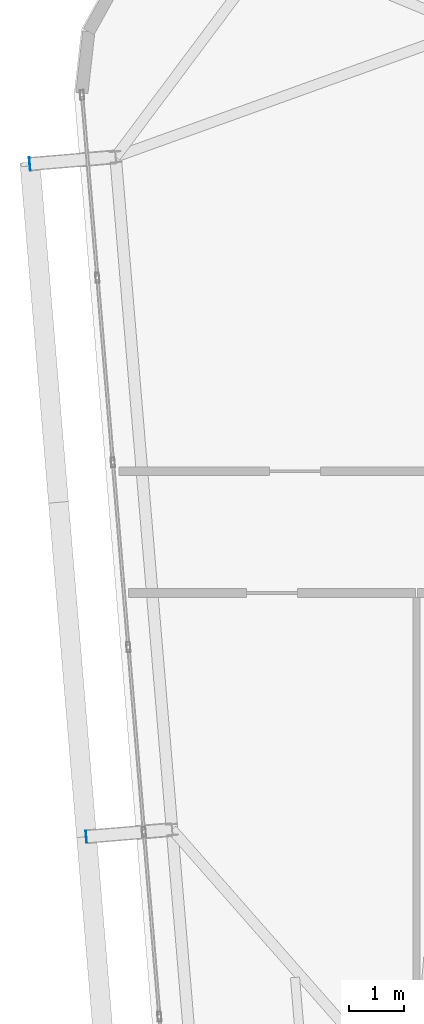
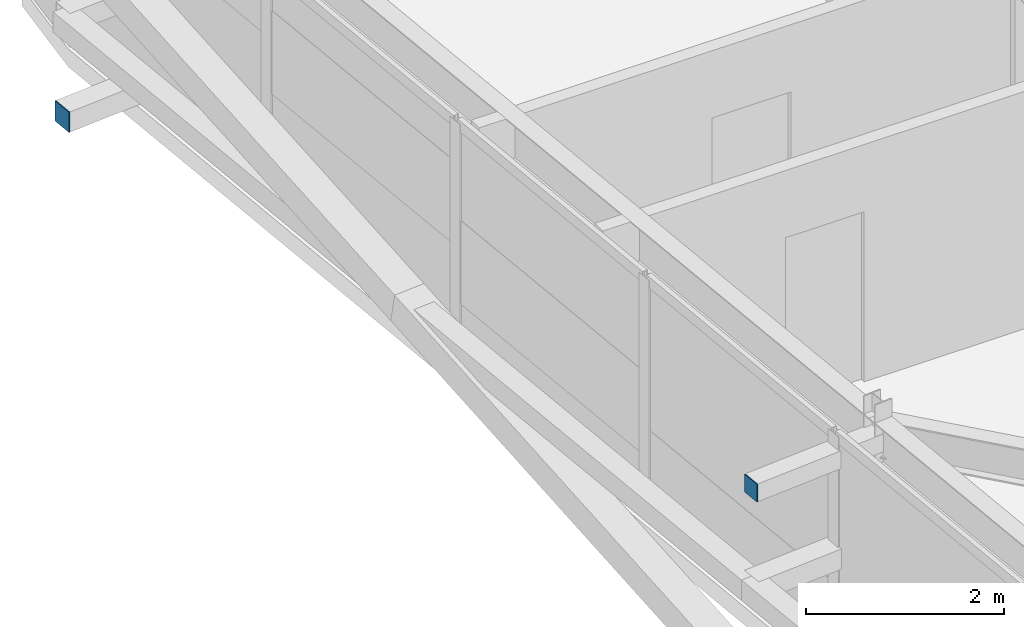
# One storey, part 36 of 46: 2 plates.
"""IFC4 building model written with IfcOpenShell, lengths in metres."""

from ifc_helpers import new_model, si_unit, direction, frame, origin, origin_2d, place, context, subcontext, project, spatial, rectangle, extrude, source, transform, mapped, material, layer, layer_set, type_object, element, save


model = new_model("IFC4")

# Units and contexts
model_context = context("Model", 3, precision=1e-05, world=origin(), true_north=direction((0.0, 1.0)))
body_context = subcontext(model_context, "Body", "Model", "MODEL_VIEW")
ifc_project = project(units=[si_unit("LENGTHUNIT", "METRE"), si_unit("AREAUNIT", "SQUARE_METRE"), si_unit("VOLUMEUNIT", "CUBIC_METRE"), si_unit("PLANEANGLEUNIT", "RADIAN"), si_unit("MASSUNIT", "GRAM", prefix="KILO")], contexts=[model_context])

# Site, building, storey
site_placement = place(None, origin())
site = spatial("IfcSite", under=ifc_project, at=site_placement, CompositionType="ELEMENT")
building_placement = place(site_placement, origin())
building = spatial("IfcBuilding", under=site, at=building_placement, Name="Taldren Reach Tower", CompositionType="ELEMENT")
storey_placement = place(building_placement, frame((0.0, 0.0, 194.60009765625)))
storey = spatial("IfcBuildingStorey", under=building, at=storey_placement, Name="L59", CompositionType="ELEMENT", Elevation=194.60009765625)

# Plates
ifc_material_1 = material(Name="Steel Gr 350 (C350L0)", Category="steel")
ifc_layer_1 = layer(ifc_material_1, 0.011962890625)
ifc_layer_set_1 = layer_set([ifc_layer_1], Name="Steel Gr 350 (C350L0)")
plate_type_1 = type_object("IfcPlateType", Name="PL-CAP-250", PredefinedType="SHEET", material=ifc_layer_set_1)
shared_shape_1 = source(origin(), body_context, "Body", "SweptSolid", [
    extrude(rectangle(XDim=0.011962890625, YDim=0.25, at=origin_2d()), origin(), (0.0, 0.0, 1.0), 0.25),
])
plate_1_placement = place(storey_placement, frame((11.011474609375, 29.55224609375, 0.094970703125), z_axis=(0.0, 0.0, 1.0), x_axis=(0.99649285925, 0.083677843332, 0.0)))
element("IfcPlate", 1, at=plate_1_placement, inside=storey, type_object=plate_type_1, Name="Tie strut end cap plate B4-W3 L59", PredefinedType="SHEET", context=body_context, shape_type="MappedRepresentation", body=[
    mapped(shared_shape_1, transform((0.0, 0.0, 0.0), scale=1.0)),
])
ifc_material_2 = material(Name="Steel Gr 450 (C450L0)", Category="steel")
ifc_layer_2 = layer(ifc_material_2, 0.011962890625)
ifc_layer_set_2 = layer_set([ifc_layer_2], Name="Steel Gr 450 (C450L0)")
plate_type_2 = type_object("IfcPlateType", Name="PL-CAP-220", PredefinedType="SHEET", material=ifc_layer_set_2)
shared_shape_2 = source(origin(), body_context, "Body", "SweptSolid", [
    extrude(rectangle(XDim=0.011962890625, YDim=0.219970703125, at=origin_2d()), origin(), (0.0, 0.0, 1.0), 0.219970703125),
])
plate_2_placement = place(storey_placement, frame((12.0322265625, 17.39501953125, 2.5400390625), z_axis=(0.0, 0.0, 1.0), x_axis=(0.99649285925, 0.083677843332, 0.0)))
element("IfcPlate", 2, at=plate_2_placement, inside=storey, type_object=plate_type_2, Name="Tie strut end cap plate B4-W2 L59", PredefinedType="SHEET", context=body_context, shape_type="MappedRepresentation", body=[
    mapped(shared_shape_2, transform((0.0, 0.0, 0.0), scale=1.0)),
])

save(model, "model.ifc")
